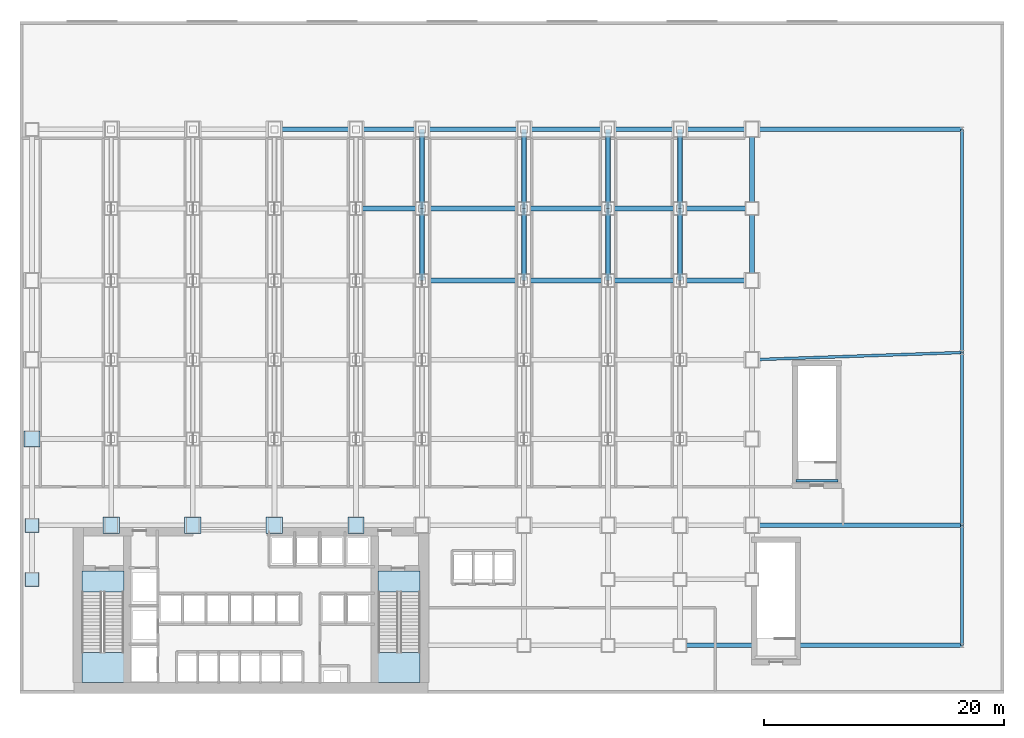
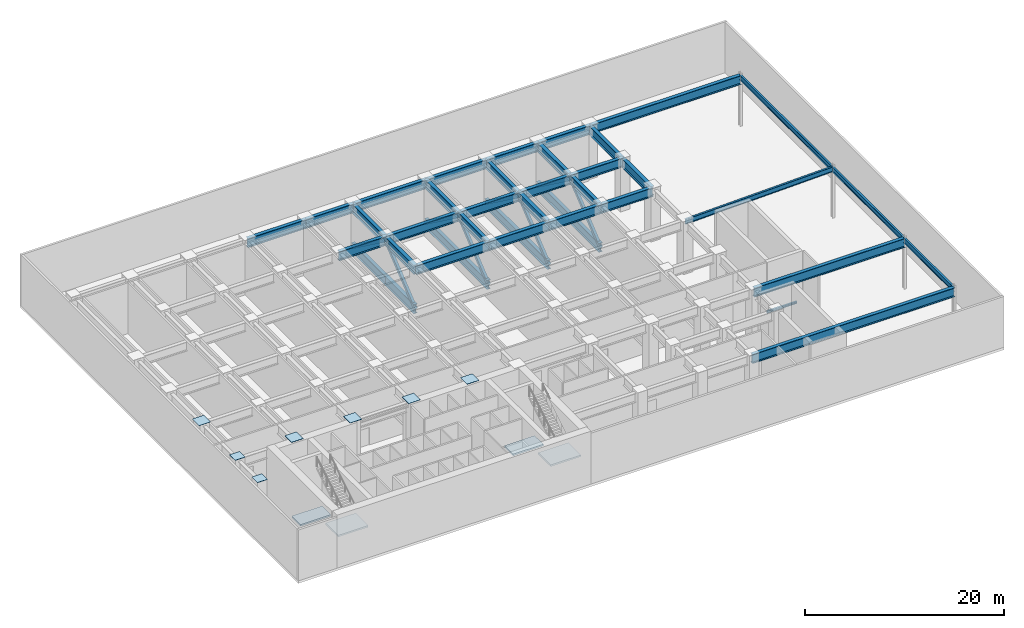
# One storey, part 5 of 15: 41 beams, 8 members, 7 plates, 4 slabs, 2 elements without a shape of their own.
"""IFC4 building model written with IfcOpenShell, lengths in metres."""

from ifc_helpers import new_model, si_unit, derived_unit, direction, frame, origin, origin_2d, place, context, subcontext, project, spatial, polyline, rectangle, hollow_rectangle, i_section, outline, extrude, source, transform, mapped, material, layer, layer_set, material_profile, profile_set, type_object, element, aggregate, save


model = new_model("IFC4")

# Units and contexts
model_context = context("Model", 3, precision=1e-05, world=origin(), true_north=direction((0.0, 1.0)))
body_context = subcontext(model_context, "Body", "Model", "MODEL_VIEW")
ifc_project = project(units=[si_unit("LENGTHUNIT", "METRE"), si_unit("AREAUNIT", "SQUARE_METRE"), si_unit("VOLUMEUNIT", "CUBIC_METRE"), si_unit("PLANEANGLEUNIT", "RADIAN"), si_unit("MASSUNIT", "GRAM", prefix="KILO"), derived_unit("THERMALTRANSMITTANCEUNIT", [(si_unit("POWERUNIT", "WATT"), 1), (si_unit("LENGTHUNIT", "METRE"), -2), (si_unit("THERMODYNAMICTEMPERATUREUNIT", "KELVIN"), -1)])], contexts=[model_context])

# Site, building, storey
site_placement = place(None, origin())
site = spatial("IfcSite", under=ifc_project, at=site_placement, CompositionType="ELEMENT")
building_placement = place(site_placement, origin())
building = spatial("IfcBuilding", under=site, at=building_placement, Name="Skarnbrae Concourse Arena and Tower", CompositionType="ELEMENT")
storey_placement = place(building_placement, frame((0.0, 0.0, 26.0)))
storey = spatial("IfcBuildingStorey", under=building, at=storey_placement, Name="L05", CompositionType="ELEMENT", Elevation=26.0)

# Beams
ifc_material_1 = material(Name="Steel CSA G40.21 350W", Category="steel")
ifc_material_profile_1 = material_profile(ifc_material_1, i_section(OverallWidth=0.22802734375, OverallDepth=0.60791015625, WebThickness=0.01123046875, FlangeThickness=0.017333984375, at=origin_2d()), Name="W610X113")
ifc_profile_set_1 = profile_set([ifc_material_profile_1], Name="Steel CSA G40.21 350W")
beam_type_1 = type_object("IfcBeamType", Name="BM-GIRD-W610X113", PredefinedType="BEAM", material=ifc_profile_set_1)
shared_shape_1 = source(origin(), body_context, "Body", "SweptSolid", [
    extrude(i_section(OverallWidth=0.22802734375, OverallDepth=0.60791015625, WebThickness=0.01123046875, FlangeThickness=0.017333984375, at=origin_2d()), origin(), (0.0, 0.0, 1.0), 10.0),
])
beam_1_placement = place(storey_placement, frame((78.5, 4.0, 5.946044921875), z_axis=(0.0, 1.0, 0.0), x_axis=(-1.0, 0.0, 0.0)))
element("IfcBeam", 1, at=beam_1_placement, inside=storey, type_object=beam_type_1, Name="L05 Podium outer east girder 1", PredefinedType="BEAM", context=body_context, shape_type="MappedRepresentation", body=[
    mapped(shared_shape_1, transform((0.0, 0.0, 0.0))),
])
shared_shape_2 = source(origin(), body_context, "Body", "SweptSolid", [
    extrude(i_section(OverallWidth=0.22802734375, OverallDepth=0.60791015625, WebThickness=0.01123046875, FlangeThickness=0.017333984375, at=origin_2d()), origin(), (0.0, 0.0, 1.0), 14.39990234375),
])
beam_2_placement = place(storey_placement, frame((78.5, 14.0, 5.946044921875), z_axis=(0.0, 1.0, 0.0), x_axis=(-1.0, 0.0, 0.0)))
element("IfcBeam", 2, at=beam_2_placement, inside=storey, type_object=beam_type_1, Name="L05 Podium outer east girder 2", PredefinedType="BEAM", context=body_context, shape_type="MappedRepresentation", body=[
    mapped(shared_shape_2, transform((0.0, 0.0, 0.0))),
])
shared_shape_3 = source(origin(), body_context, "Body", "SweptSolid", [
    extrude(i_section(OverallWidth=0.22802734375, OverallDepth=0.60791015625, WebThickness=0.01123046875, FlangeThickness=0.017333984375, at=origin_2d()), origin(), (0.0, 0.0, 1.0), 18.60009765625),
])
beam_3_placement = place(storey_placement, frame((78.5, 28.39990234375, 5.946044921875), z_axis=(0.0, 1.0, 0.0), x_axis=(-1.0, 0.0, 0.0)))
element("IfcBeam", 3, at=beam_3_placement, inside=storey, type_object=beam_type_1, Name="L05 Podium outer east girder 3", PredefinedType="BEAM", context=body_context, shape_type="MappedRepresentation", body=[
    mapped(shared_shape_3, transform((0.0, 0.0, 0.0))),
])
shared_shape_4 = source(origin(), body_context, "Body", "SweptSolid", [
    extrude(i_section(OverallWidth=0.22802734375, OverallDepth=0.60791015625, WebThickness=0.01123046875, FlangeThickness=0.017333984375, at=origin_2d()), origin(), (0.0, 0.0, 1.0), 17.51025390625),
])
beam_4_placement = place(storey_placement, frame((61.0, 27.800048828125, 5.946044921875), z_axis=(0.999413049025, 0.03425722463, 0.0), x_axis=(-0.03425722463, 0.999413049025, 0.0)))
element("IfcBeam", 4, at=beam_4_placement, inside=storey, type_object=beam_type_1, Name="L05 East concourse tie girder", PredefinedType="BEAM", context=body_context, shape_type="MappedRepresentation", body=[
    mapped(shared_shape_4, transform((0.0, 0.0, 0.0))),
])
ifc_material_profile_2 = material_profile(ifc_material_1, i_section(OverallWidth=0.405029296875, OverallDepth=1.117919921875, WebThickness=0.02587890625, FlangeThickness=0.0458984375, at=origin_2d()), Name="W1100X499")
ifc_profile_set_2 = profile_set([ifc_material_profile_2], Name="Steel CSA G40.21 350W")
beam_type_2 = type_object("IfcBeamType", Name="BM-XFER-W1100X499", PredefinedType="BEAM", material=ifc_profile_set_2)
shared_shape_5 = source(origin(), body_context, "Body", "SweptSolid", [
    extrude(i_section(OverallWidth=0.405029296875, OverallDepth=1.117919921875, WebThickness=0.02587890625, FlangeThickness=0.0458984375, at=origin_2d()), origin(), (0.0, 0.0, 1.0), 6.60009765625),
])
for number, where, z_axis, x_axis, name in (
    (5, (61.0, 40.39990234375, 5.69091796875), (0.0, 1.0, 0.0), (-1.0, 0.0, 0.0), "L05 Podium east girder 6"),
    (6, (33.5, 40.39990234375, 5.69091796875), (0.0, 1.0, 0.0), (-1.0, 0.0, 0.0), "L05 Arena transfer trusses T5 top chord 5"),
    (7, (33.5, 40.39990234375, 0.85009765625), (0.0, 1.0, 0.0), (-1.0, 0.0, 0.0), "L05 Arena transfer trusses T5 bottom chord 5"),
    (8, (42.0, 40.39990234375, 5.69091796875), (0.0, 1.0, 0.0), (-1.0, 0.0, 0.0), "L05 Arena transfer trusses T6 top chord 5"),
    (9, (42.0, 40.39990234375, 0.85009765625), (0.0, 1.0, 0.0), (-1.0, 0.0, 0.0), "L05 Arena transfer trusses T6 bottom chord 5"),
    (10, (49.0, 40.39990234375, 5.69091796875), (0.0, 1.0, 0.0), (-1.0, 0.0, 0.0), "L05 Arena transfer trusses T7 top chord 5"),
    (11, (49.0, 40.39990234375, 0.85009765625), (0.0, 1.0, 0.0), (-1.0, 0.0, 0.0), "L05 Arena transfer trusses T7 bottom chord 5"),
    (12, (55.0, 40.39990234375, 5.69091796875), (0.0, 1.0, 0.0), (-1.0, 0.0, 0.0), "L05 Arena transfer trusses T8 top chord 5"),
    (13, (55.0, 40.39990234375, 0.85009765625), (0.0, 1.0, 0.0), (-1.0, 0.0, 0.0), "L05 Arena transfer trusses T8 bottom chord 5"),
):
    element("IfcBeam", number, at=place(storey_placement, frame(where, z_axis=z_axis, x_axis=x_axis)), inside=storey, type_object=beam_type_2, Name=name, PredefinedType="BEAM", context=body_context, shape_type="MappedRepresentation", body=[
        mapped(shared_shape_5, transform((0.0, 0.0, 0.0))),
    ])
shared_shape_6 = source(origin(), body_context, "Body", "SweptSolid", [
    extrude(i_section(OverallWidth=0.405029296875, OverallDepth=1.117919921875, WebThickness=0.02587890625, FlangeThickness=0.0458984375, at=origin_2d()), origin(), (0.0, 0.0, 1.0), 6.800048828125),
])
beam_5_placement = place(storey_placement, frame((21.199951171875, 47.0, 5.69091796875), z_axis=(1.0, 0.0, 0.0), x_axis=(0.0, 1.0, 0.0)))
element("IfcBeam", 14, at=beam_5_placement, inside=storey, type_object=beam_type_2, Name="L05 Podium north girder 4", PredefinedType="BEAM", context=body_context, shape_type="MappedRepresentation", body=[
    mapped(shared_shape_6, transform((0.0, 0.0, 0.0))),
])
shared_shape_7 = source(origin(), body_context, "Body", "SweptSolid", [
    extrude(i_section(OverallWidth=0.405029296875, OverallDepth=1.117919921875, WebThickness=0.02587890625, FlangeThickness=0.0458984375, at=origin_2d()), origin(), (0.0, 0.0, 1.0), 5.5),
])
for number, where, z_axis, x_axis, name in (
    (15, (28.0, 47.0, 5.69091796875), (1.0, 0.0, 0.0), (0.0, 1.0, 0.0), "L05 Podium north girder 5"),
    (16, (28.0, 40.39990234375, 5.69091796875), (1.0, 0.0, 0.0), (0.0, 1.0, 0.0), "L05 Transfer cross girder Y40.4-5"),
):
    element("IfcBeam", number, at=place(storey_placement, frame(where, z_axis=z_axis, x_axis=x_axis)), inside=storey, type_object=beam_type_2, Name=name, PredefinedType="BEAM", context=body_context, shape_type="MappedRepresentation", body=[
        mapped(shared_shape_7, transform((0.0, 0.0, 0.0))),
    ])
shared_shape_8 = source(origin(), body_context, "Body", "SweptSolid", [
    extrude(i_section(OverallWidth=0.405029296875, OverallDepth=1.117919921875, WebThickness=0.02587890625, FlangeThickness=0.0458984375, at=origin_2d()), origin(), (0.0, 0.0, 1.0), 8.5),
])
for number, where, z_axis, x_axis, name in (
    (17, (33.5, 47.0, 5.69091796875), (1.0, 0.0, 0.0), (0.0, 1.0, 0.0), "L05 Podium north girder 6"),
    (18, (33.5, 34.39990234375, 5.69091796875), (1.0, 0.0, 0.0), (0.0, 1.0, 0.0), "L05 Transfer cross girder Y34.4-6"),
    (19, (33.5, 40.39990234375, 5.69091796875), (1.0, 0.0, 0.0), (0.0, 1.0, 0.0), "L05 Transfer cross girder Y40.4-6"),
):
    element("IfcBeam", number, at=place(storey_placement, frame(where, z_axis=z_axis, x_axis=x_axis)), inside=storey, type_object=beam_type_2, Name=name, PredefinedType="BEAM", context=body_context, shape_type="MappedRepresentation", body=[
        mapped(shared_shape_8, transform((0.0, 0.0, 0.0))),
    ])
shared_shape_9 = source(origin(), body_context, "Body", "SweptSolid", [
    extrude(i_section(OverallWidth=0.405029296875, OverallDepth=1.117919921875, WebThickness=0.02587890625, FlangeThickness=0.0458984375, at=origin_2d()), origin(), (0.0, 0.0, 1.0), 7.0),
])
for number, where, z_axis, x_axis, name in (
    (20, (42.0, 47.0, 5.69091796875), (1.0, 0.0, 0.0), (0.0, 1.0, 0.0), "L05 Podium north girder 7"),
    (21, (42.0, 34.39990234375, 5.69091796875), (1.0, 0.0, 0.0), (0.0, 1.0, 0.0), "L05 Transfer cross girder Y34.4-7"),
    (22, (42.0, 40.39990234375, 5.69091796875), (1.0, 0.0, 0.0), (0.0, 1.0, 0.0), "L05 Transfer cross girder Y40.4-7"),
):
    element("IfcBeam", number, at=place(storey_placement, frame(where, z_axis=z_axis, x_axis=x_axis)), inside=storey, type_object=beam_type_2, Name=name, PredefinedType="BEAM", context=body_context, shape_type="MappedRepresentation", body=[
        mapped(shared_shape_9, transform((0.0, 0.0, 0.0))),
    ])
shared_shape_10 = source(origin(), body_context, "Body", "SweptSolid", [
    extrude(i_section(OverallWidth=0.405029296875, OverallDepth=1.117919921875, WebThickness=0.02587890625, FlangeThickness=0.0458984375, at=origin_2d()), origin(), (0.0, 0.0, 1.0), 6.0),
])
for number, where, z_axis, x_axis, name in (
    (23, (49.0, 47.0, 5.69091796875), (1.0, 0.0, 0.0), (0.0, 1.0, 0.0), "L05 Podium north girder 8"),
    (24, (55.0, 47.0, 5.69091796875), (1.0, 0.0, 0.0), (0.0, 1.0, 0.0), "L05 Podium north girder 9"),
    (25, (61.0, 34.39990234375, 5.69091796875), (0.0, 1.0, 0.0), (-1.0, 0.0, 0.0), "L05 Podium east girder 5"),
    (26, (33.5, 34.39990234375, 5.69091796875), (0.0, 1.0, 0.0), (-1.0, 0.0, 0.0), "L05 Arena transfer trusses T5 top chord 4"),
    (27, (33.5, 34.39990234375, 0.85009765625), (0.0, 1.0, 0.0), (-1.0, 0.0, 0.0), "L05 Arena transfer trusses T5 bottom chord 4"),
    (28, (42.0, 34.39990234375, 5.69091796875), (0.0, 1.0, 0.0), (-1.0, 0.0, 0.0), "L05 Arena transfer trusses T6 top chord 4"),
    (29, (42.0, 34.39990234375, 0.85009765625), (0.0, 1.0, 0.0), (-1.0, 0.0, 0.0), "L05 Arena transfer trusses T6 bottom chord 4"),
    (30, (49.0, 34.39990234375, 5.69091796875), (0.0, 1.0, 0.0), (-1.0, 0.0, 0.0), "L05 Arena transfer trusses T7 top chord 4"),
    (31, (49.0, 34.39990234375, 0.85009765625), (0.0, 1.0, 0.0), (-1.0, 0.0, 0.0), "L05 Arena transfer trusses T7 bottom chord 4"),
    (32, (55.0, 34.39990234375, 5.69091796875), (0.0, 1.0, 0.0), (-1.0, 0.0, 0.0), "L05 Arena transfer trusses T8 top chord 4"),
    (33, (55.0, 34.39990234375, 0.85009765625), (0.0, 1.0, 0.0), (-1.0, 0.0, 0.0), "L05 Arena transfer trusses T8 bottom chord 4"),
    (34, (49.0, 34.39990234375, 5.69091796875), (1.0, 0.0, 0.0), (0.0, 1.0, 0.0), "L05 Transfer cross girder Y34.4-8"),
    (35, (55.0, 34.39990234375, 5.69091796875), (1.0, 0.0, 0.0), (0.0, 1.0, 0.0), "L05 Transfer cross girder Y34.4-9"),
    (36, (49.0, 40.39990234375, 5.69091796875), (1.0, 0.0, 0.0), (0.0, 1.0, 0.0), "L05 Transfer cross girder Y40.4-8"),
    (37, (55.0, 40.39990234375, 5.69091796875), (1.0, 0.0, 0.0), (0.0, 1.0, 0.0), "L05 Transfer cross girder Y40.4-9"),
):
    element("IfcBeam", number, at=place(storey_placement, frame(where, z_axis=z_axis, x_axis=x_axis)), inside=storey, type_object=beam_type_2, Name=name, PredefinedType="BEAM", context=body_context, shape_type="MappedRepresentation", body=[
        mapped(shared_shape_10, transform((0.0, 0.0, 0.0))),
    ])
shared_shape_11 = source(origin(), body_context, "Body", "SweptSolid", [
    extrude(i_section(OverallWidth=0.405029296875, OverallDepth=1.117919921875, WebThickness=0.02587890625, FlangeThickness=0.0458984375, at=origin_2d()), origin(), (0.0, 0.0, 1.0), 17.5),
])
for number, where, z_axis, x_axis, name in (
    (38, (61.0, 47.0, 5.69091796875), (1.0, 0.0, 0.0), (0.0, 1.0, 0.0), "L05 Podium north girder 10"),
    (39, (61.0, 14.0, 5.69091796875), (1.0, 0.0, 0.0), (0.0, 1.0, 0.0), "L05 Podium south spine girder 10"),
):
    element("IfcBeam", number, at=place(storey_placement, frame(where, z_axis=z_axis, x_axis=x_axis)), inside=storey, type_object=beam_type_2, Name=name, PredefinedType="BEAM", context=body_context, shape_type="MappedRepresentation", body=[
        mapped(shared_shape_11, transform((0.0, 0.0, 0.0))),
    ])
shared_shape_12 = source(origin(), body_context, "Body", "SweptSolid", [
    extrude(i_section(OverallWidth=0.405029296875, OverallDepth=1.117919921875, WebThickness=0.02587890625, FlangeThickness=0.0458984375, at=origin_2d()), origin(), (0.0, 0.0, 1.0), 23.5),
])
beam_6_placement = place(storey_placement, frame((55.0, 4.0, 5.69091796875), z_axis=(1.0, 0.0, 0.0), x_axis=(0.0, 1.0, 0.0)))
element("IfcBeam", 40, at=beam_6_placement, inside=storey, type_object=beam_type_2, Name="L05 South-east girder 4", PredefinedType="BEAM", context=body_context, shape_type="MappedRepresentation", body=[
    mapped(shared_shape_12, transform((0.0, 0.0, 0.0))),
])

# Members
ifc_material_profile_3 = material_profile(ifc_material_1, hollow_rectangle(XDim=0.3046875, YDim=0.406494140625, WallThickness=0.01904296875, at=origin_2d()), Name="HSS406X305X19.0")
ifc_profile_set_3 = profile_set([ifc_material_profile_3], Name="Steel CSA G40.21 350W")
member_type = type_object("IfcMemberType", Name="MEM-DIAG-HSS406X305", PredefinedType="BRACE", material=ifc_profile_set_3)
shared_shape_13 = source(origin(), body_context, "Body", "SweptSolid", [
    extrude(hollow_rectangle(XDim=0.3046875, YDim=0.406494140625, WallThickness=0.01904296875, at=origin_2d()), origin(), (0.0, 0.0, 1.0), 8.18505859375),
])
for number, where, z_axis, x_axis, name in (
    (41, (33.5, 40.39990234375, 5.69091796875), (0.0, 0.806361372842, -0.591423144955), (-1.0, 0.0, 0.0), "L05 Arena transfer trusses T5 diagonal 5"),
    (42, (42.0, 40.39990234375, 5.69091796875), (0.0, 0.806361372842, -0.591423144955), (-1.0, 0.0, 0.0), "L05 Arena transfer trusses T6 diagonal 5"),
    (43, (49.0, 40.39990234375, 5.69091796875), (0.0, 0.806361372842, -0.591423144955), (-1.0, 0.0, 0.0), "L05 Arena transfer trusses T7 diagonal 5"),
    (44, (55.0, 40.39990234375, 5.69091796875), (0.0, 0.806361372842, -0.591423144955), (-1.0, 0.0, 0.0), "L05 Arena transfer trusses T8 diagonal 5"),
):
    element("IfcMember", number, at=place(storey_placement, frame(where, z_axis=z_axis, x_axis=x_axis)), inside=storey, type_object=member_type, Name=name, PredefinedType="BRACE", context=body_context, shape_type="MappedRepresentation", body=[
        mapped(shared_shape_13, transform((0.0, 0.0, 0.0))),
    ])
shared_shape_14 = source(origin(), body_context, "Body", "SweptSolid", [
    extrude(hollow_rectangle(XDim=0.3046875, YDim=0.406494140625, WallThickness=0.01904296875, at=origin_2d()), origin(), (0.0, 0.0, 1.0), 7.709228515625),
])
for number, where, z_axis, x_axis, name in (
    (45, (33.5, 34.39990234375, 0.85009765625), (0.0, 0.778279240358, 0.627918325921), (-1.0, 0.0, 0.0), "L05 Arena transfer trusses T5 diagonal 4"),
    (46, (42.0, 34.39990234375, 0.85009765625), (0.0, 0.778279240358, 0.627918325921), (-1.0, 0.0, 0.0), "L05 Arena transfer trusses T6 diagonal 4"),
    (47, (49.0, 34.39990234375, 0.85009765625), (0.0, 0.778279240358, 0.627918325921), (-1.0, 0.0, 0.0), "L05 Arena transfer trusses T7 diagonal 4"),
    (48, (55.0, 34.39990234375, 0.85009765625), (0.0, 0.778279240358, 0.627918325921), (-1.0, 0.0, 0.0), "L05 Arena transfer trusses T8 diagonal 4"),
):
    element("IfcMember", number, at=place(storey_placement, frame(where, z_axis=z_axis, x_axis=x_axis)), inside=storey, type_object=member_type, Name=name, PredefinedType="BRACE", context=body_context, shape_type="MappedRepresentation", body=[
        mapped(shared_shape_14, transform((0.0, 0.0, 0.0))),
    ])

# Beam
ifc_material_profile_4 = material_profile(ifc_material_1, i_section(OverallWidth=0.202880859375, OverallDepth=0.251953125, WebThickness=0.008056640625, FlangeThickness=0.013427734375, at=origin_2d()), Name="W250X58")
ifc_profile_set_4 = profile_set([ifc_material_profile_4], Name="Steel CSA G40.21 350W")
beam_type_3 = type_object("IfcBeamType", Name="BM-LINTEL-W250X58", PredefinedType="LINTEL", material=ifc_profile_set_4)
shared_shape_15 = source(origin(), body_context, "Body", "SweptSolid", [
    extrude(i_section(OverallWidth=0.202880859375, OverallDepth=0.251953125, WebThickness=0.008056640625, FlangeThickness=0.013427734375, at=origin_2d()), origin(), (0.0, 0.0, 1.0), 3.5),
])
beam_7_placement = place(storey_placement, frame((68.14990234375, 17.719970703125, -0.325927734375), z_axis=(-1.0, 0.0, 0.0), x_axis=(0.0, -1.0, 0.0)))
element("IfcBeam", 49, at=beam_7_placement, inside=storey, type_object=beam_type_3, Name="L05 Stair ST-A2 near landing soffit beam", PredefinedType="LINTEL", context=body_context, shape_type="MappedRepresentation", body=[
    mapped(shared_shape_15, transform((0.0, 0.0, 0.0))),
])

# Stair, slab
ifc_material_2 = material(Name="Concrete 40 MPa (C40/50)", Category="concrete")
stair_type = type_object("IfcStairType", Name="STAIR-DOGLEG-1650", PredefinedType="HALF_TURN_STAIR", material=ifc_material_2)
stair_1_placement = place(storey_placement, origin())
stair_1 = element("IfcStair", 50, at=stair_1_placement, inside=storey, type_object=stair_type, Name="L05 Protected Exit Stair ST-1", PredefinedType="HALF_TURN_STAIR")
ifc_layer_1 = layer(ifc_material_2, 0.199951171875)
ifc_layer_set_1 = layer_set([ifc_layer_1], Name="Concrete 40 MPa (C40/50)")
slab_type = type_object("IfcSlabType", Name="SLAB-LANDING-200", PredefinedType="LANDING", material=ifc_layer_set_1)
slab_1_placement = place(storey_placement, frame((0.0, 0.0, 3.050048828125)))
slab_1 = element("IfcSlab", 51, at=slab_1_placement, type_object=slab_type, Name="ST-1 landing 1", PredefinedType="LANDING", context=body_context, shape_type="SweptSolid", body=[
    extrude(outline(polyline([(5.14990234375, 3.409912109375), (5.14990234375, 0.89990234375), (8.64990234375, 0.89990234375), (8.64990234375, 3.409912109375), (5.14990234375, 3.409912109375)])), origin(), (0.0, 0.0, 1.0), 0.199951171875),
])
aggregate(stair_1, [slab_1])

stair_2_placement = place(storey_placement, origin())
stair_2 = element("IfcStair", 52, at=stair_2_placement, inside=storey, type_object=stair_type, Name="L05 Protected Exit Stair ST-2", PredefinedType="HALF_TURN_STAIR")
slab_2_placement = place(storey_placement, frame((0.0, 0.0, 3.050048828125)))
slab_2 = element("IfcSlab", 53, at=slab_2_placement, type_object=slab_type, Name="ST-2 landing 1", PredefinedType="LANDING", context=body_context, shape_type="SweptSolid", body=[
    extrude(outline(polyline([(29.85009765625, 3.409912109375), (29.85009765625, 0.89990234375), (33.35009765625, 0.89990234375), (33.35009765625, 3.409912109375), (29.85009765625, 3.409912109375)])), origin(), (0.0, 0.0, 1.0), 0.199951171875),
])
aggregate(stair_2, [slab_2])

# Slabs
slab_3_placement = place(storey_placement, frame((0.0, 0.0, -0.199951171875)))
element("IfcSlab", 54, at=slab_3_placement, inside=storey, type_object=slab_type, Name="L05 Core stair ST1 floor landing", PredefinedType="LANDING", context=body_context, shape_type="SweptSolid", body=[
    extrude(outline(polyline([(5.14990234375, 10.199951171875), (5.14990234375, 8.449951171875), (8.64990234375, 8.449951171875), (8.64990234375, 10.199951171875), (5.14990234375, 10.199951171875)])), origin(), (0.0, 0.0, 1.0), 0.199951171875),
])
slab_4_placement = place(storey_placement, frame((0.0, 0.0, -0.199951171875)))
element("IfcSlab", 55, at=slab_4_placement, inside=storey, type_object=slab_type, Name="L05 Core stair ST2 floor landing", PredefinedType="LANDING", context=body_context, shape_type="SweptSolid", body=[
    extrude(outline(polyline([(29.85009765625, 10.199951171875), (29.85009765625, 8.449951171875), (33.35009765625, 8.449951171875), (33.35009765625, 10.199951171875), (29.85009765625, 10.199951171875)])), origin(), (0.0, 0.0, 1.0), 0.199951171875),
])

# Plates
ifc_layer_2 = layer(ifc_material_1, 0.031982421875)
ifc_layer_set_2 = layer_set([ifc_layer_2], Name="Steel CSA G40.21 350W")
plate_type_1 = type_object("IfcPlateType", Name="PLT-CAP-BOX1100", PredefinedType="USERDEFINED", material=ifc_layer_set_2)
shared_shape_16 = source(origin(), body_context, "Body", "SweptSolid", [
    extrude(rectangle(XDim=1.159912109375, YDim=1.159912109375, at=origin_2d()), origin(), (0.0, 0.0, 1.0), 0.031982421875),
])
for number, where, z_axis, x_axis, name in (
    (56, (1.0, 9.5, 6.4990234375), (0.0, 0.0, 1.0), (1.0, 0.0, 0.0), "L05 Hollow column top cap plate 001"),
    (57, (1.0, 14.0, 6.4990234375), (0.0, 0.0, 1.0), (1.0, 0.0, 0.0), "L05 Hollow column top cap plate 002"),
):
    element("IfcPlate", number, at=place(storey_placement, frame(where, z_axis=z_axis, x_axis=x_axis)), inside=storey, type_object=plate_type_1, Name=name, ObjectType="CAP PLATE", PredefinedType="USERDEFINED", context=body_context, shape_type="MappedRepresentation", body=[
        mapped(shared_shape_16, transform((0.0, 0.0, 0.0))),
    ])
ifc_layer_3 = layer(ifc_material_1, 0.031982421875)
ifc_layer_set_3 = layer_set([ifc_layer_3], Name="Steel CSA G40.21 350W")
plate_type_2 = type_object("IfcPlateType", Name="PLT-CAP-BOX1300", PredefinedType="USERDEFINED", material=ifc_layer_set_3)
shared_shape_17 = source(origin(), body_context, "Body", "SweptSolid", [
    extrude(rectangle(XDim=1.360107421875, YDim=1.360107421875, at=origin_2d()), origin(), (0.0, 0.0, 1.0), 0.031982421875),
])
for number, where, z_axis, x_axis, name in (
    (58, (1.0, 21.199951171875, 6.4990234375), (0.0, 0.0, 1.0), (1.0, 0.0, 0.0), "L05 Hollow column top cap plate 003"),
    (59, (7.60009765625, 14.0, 6.4990234375), (0.0, 0.0, 1.0), (1.0, 0.0, 0.0), "L05 Hollow column top cap plate 007"),
    (60, (14.39990234375, 14.0, 6.4990234375), (0.0, 0.0, 1.0), (1.0, 0.0, 0.0), "L05 Hollow column top cap plate 008"),
    (61, (21.199951171875, 14.0, 6.4990234375), (0.0, 0.0, 1.0), (1.0, 0.0, 0.0), "L05 Hollow column top cap plate 009"),
    (62, (28.0, 14.0, 6.4990234375), (0.0, 0.0, 1.0), (1.0, 0.0, 0.0), "L05 Hollow column top cap plate 010"),
):
    element("IfcPlate", number, at=place(storey_placement, frame(where, z_axis=z_axis, x_axis=x_axis)), inside=storey, type_object=plate_type_2, Name=name, ObjectType="CAP PLATE", PredefinedType="USERDEFINED", context=body_context, shape_type="MappedRepresentation", body=[
        mapped(shared_shape_17, transform((0.0, 0.0, 0.0))),
    ])

save(model, "model.ifc")
